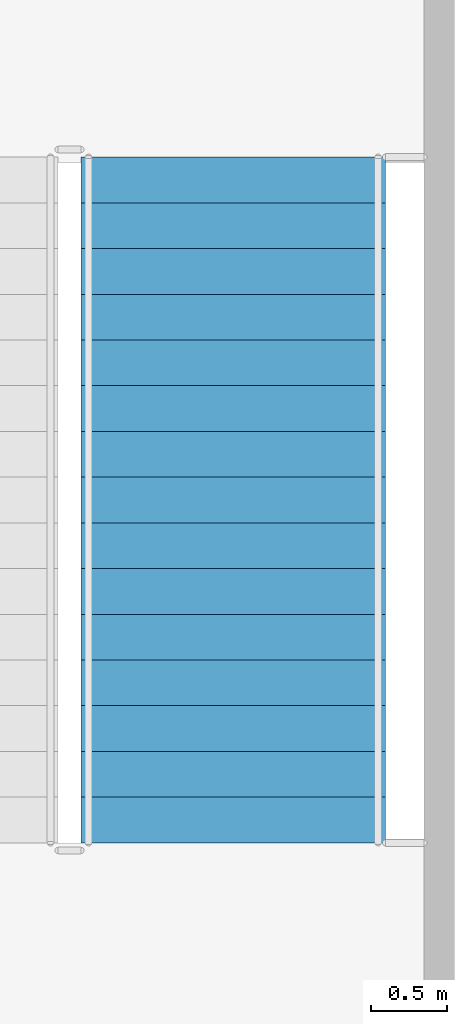
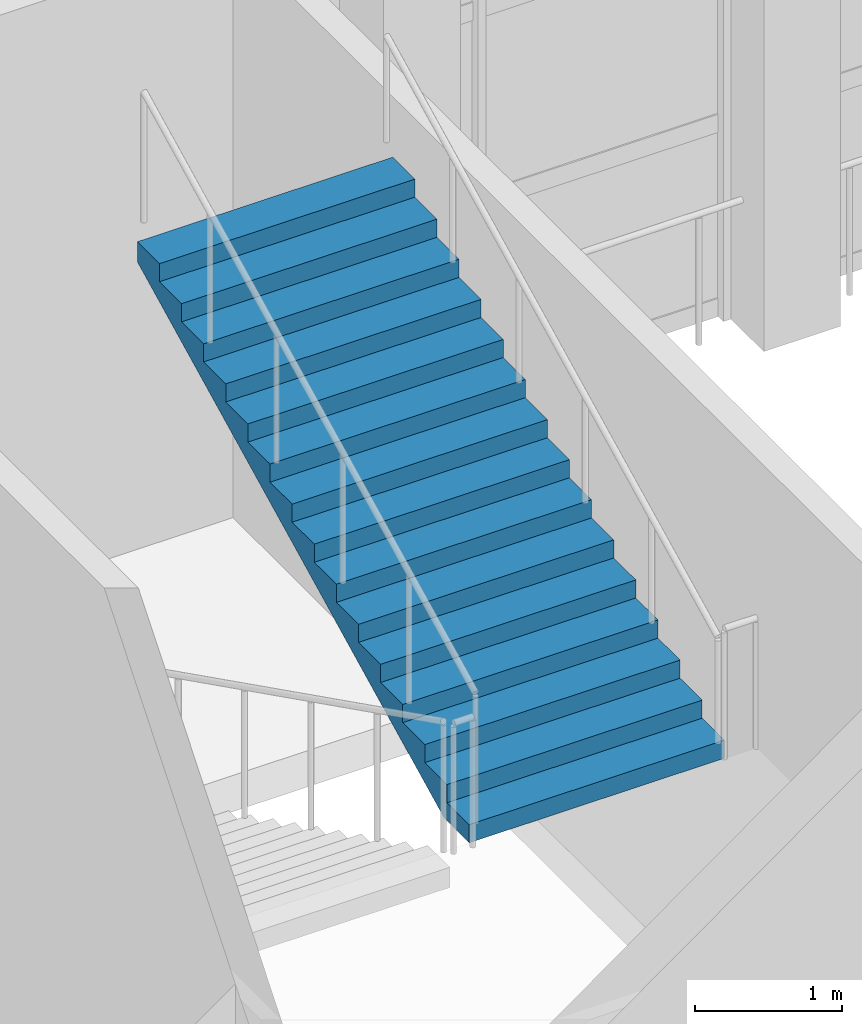
# One storey, part 52 of 91: 1 stair flight, 1 element without a shape of its own.
"""IFC4 building model written with IfcOpenShell, lengths in metres."""

from ifc_helpers import new_model, si_unit, direction, frame, origin, place, context, subcontext, project, spatial, faceted_brep, material, type_object, element, aggregate, save


model = new_model("IFC4")

# Units and contexts
model_context = context("Model", 3, precision=1e-05, world=origin(), true_north=direction((0.0, 1.0)))
body_context = subcontext(model_context, "Body", "Model", "MODEL_VIEW")
ifc_project = project(units=[si_unit("LENGTHUNIT", "METRE"), si_unit("AREAUNIT", "SQUARE_METRE"), si_unit("VOLUMEUNIT", "CUBIC_METRE"), si_unit("PLANEANGLEUNIT", "RADIAN"), si_unit("MASSUNIT", "GRAM", prefix="KILO")], contexts=[model_context])

# Site, building, storey
site_placement = place(None, origin())
site = spatial("IfcSite", under=ifc_project, at=site_placement, CompositionType="ELEMENT")
building_placement = place(site_placement, origin())
building = spatial("IfcBuilding", under=site, at=building_placement, Name="Kiln Court Media Centre", CompositionType="ELEMENT")
storey_placement = place(building_placement, frame((0.0, 0.0, 5.39990234375)))
storey = spatial("IfcBuildingStorey", under=building, at=storey_placement, Name="L01", CompositionType="ELEMENT", Elevation=5.39990234375)

# Stair, stair flight
ifc_material_1 = material(Name="Concrete C40/50", Category="concrete")
stair_type = type_object("IfcStairType", Name="Concrete C40/50 dog-leg stair 2000 wide, 150 riser", PredefinedType="HALF_TURN_STAIR", material=ifc_material_1)
stair_placement = place(storey_placement, origin())
stair = element("IfcStair", 1, at=stair_placement, inside=storey, type_object=stair_type, Name="ST-08 L01", PredefinedType="HALF_TURN_STAIR")
ifc_material_2 = material(Name="Concrete C40/50", Category="concrete")
stair_flight_type = type_object("IfcStairFlightType", Name="Concrete C40/50 stair flight 2000 wide, 150 riser, 300 going", PredefinedType="STRAIGHT", material=ifc_material_2)
stair_flight_placement = place(storey_placement, frame((32.14990234375, 59.89990234375, 2.400146484375), z_axis=(0.0, 0.0, 1.0), x_axis=(0.0, 1.0, 0.0)))
stair_flight = element("IfcStairFlight", 2, at=stair_flight_placement, type_object=stair_flight_type, Name="L01-ST-5007 flight 5015", NumberOfRisers=16, NumberOfTreads=15, PredefinedType="STRAIGHT", RiserHeight=0.15, TreadLength=0.3, context=body_context, shape_type="Brep", body=[
    faceted_brep([(0.335205078125, -1.0, 0.0), (4.5, -1.0, 2.08251953125), (4.5, -1.0, 2.25), (4.199951171875, -1.0, 2.25), (4.199951171875, -1.0, 2.10009765625), (3.89990234375, -1.0, 2.10009765625), (3.89990234375, -1.0, 1.949951171875), (3.60009765625, -1.0, 1.949951171875), (3.60009765625, -1.0, 1.800048828125), (3.300048828125, -1.0, 1.800048828125), (3.300048828125, -1.0, 1.64990234375), (3.0, -1.0, 1.64990234375), (3.0, -1.0, 1.5), (2.699951171875, -1.0, 1.5), (2.699951171875, -1.0, 1.35009765625), (2.39990234375, -1.0, 1.35009765625), (2.39990234375, -1.0, 1.199951171875), (2.10009765625, -1.0, 1.199951171875), (2.10009765625, -1.0, 1.050048828125), (1.800048828125, -1.0, 1.050048828125), (1.800048828125, -1.0, 0.89990234375), (1.5, -1.0, 0.89990234375), (1.5, -1.0, 0.75), (1.199951171875, -1.0, 0.75), (1.199951171875, -1.0, 0.60009765625), (0.89990234375, -1.0, 0.60009765625), (0.89990234375, -1.0, 0.449951171875), (0.60009765625, -1.0, 0.449951171875), (0.60009765625, -1.0, 0.300048828125), (0.300048828125, -1.0, 0.300048828125), (0.300048828125, -1.0, 0.14990234375), (0.0, -1.0, 0.14990234375), (0.0, -1.0, 0.0), (0.0, 1.0, 0.0), (0.0, 1.0, 0.14990234375), (0.300048828125, 1.0, 0.14990234375), (0.300048828125, 1.0, 0.300048828125), (0.60009765625, 1.0, 0.300048828125), (0.60009765625, 1.0, 0.449951171875), (0.89990234375, 1.0, 0.449951171875), (0.89990234375, 1.0, 0.60009765625), (1.199951171875, 1.0, 0.60009765625), (1.199951171875, 1.0, 0.75), (1.5, 1.0, 0.75), (1.5, 1.0, 0.89990234375), (1.800048828125, 1.0, 0.89990234375), (1.800048828125, 1.0, 1.050048828125), (2.10009765625, 1.0, 1.050048828125), (2.10009765625, 1.0, 1.199951171875), (2.39990234375, 1.0, 1.199951171875), (2.39990234375, 1.0, 1.35009765625), (2.699951171875, 1.0, 1.35009765625), (2.699951171875, 1.0, 1.5), (3.0, 1.0, 1.5), (3.0, 1.0, 1.64990234375), (3.300048828125, 1.0, 1.64990234375), (3.300048828125, 1.0, 1.800048828125), (3.60009765625, 1.0, 1.800048828125), (3.60009765625, 1.0, 1.949951171875), (3.89990234375, 1.0, 1.949951171875), (3.89990234375, 1.0, 2.10009765625), (4.199951171875, 1.0, 2.10009765625), (4.199951171875, 1.0, 2.25), (4.5, 1.0, 2.25), (4.5, 1.0, 2.08251953125), (0.335205078125, 1.0, 0.0), (4.5, 0.10009765625, 2.08251953125), (0.335205078125, 0.10009765625, 0.0), (4.5, 0.080078125, 2.08251953125), (0.335205078125, 0.080078125, 0.0), (4.5, 0.06005859375, 2.08251953125), (0.335205078125, 0.06005859375, 0.0), (4.5, 0.0400390625, 2.08251953125), (0.335205078125, 0.0400390625, 0.0), (4.5, 0.02001953125, 2.08251953125), (0.335205078125, 0.02001953125, 0.0), (4.5, 0.0, 2.08251953125), (0.335205078125, 0.0, 0.0), (4.5, -0.02001953125, 2.08251953125), (0.335205078125, -0.02001953125, 0.0), (4.5, -0.0400390625, 2.08251953125), (0.335205078125, -0.0400390625, 0.0), (4.5, -0.06005859375, 2.08251953125), (0.335205078125, -0.06005859375, 0.0), (4.5, -0.080078125, 2.08251953125), (0.335205078125, -0.080078125, 0.0), (4.5, -0.10009765625, 2.08251953125), (0.335205078125, -0.10009765625, 0.0), (4.5, 0.10009765625, 2.25), (4.5, 0.080078125, 2.25), (4.5, 0.06005859375, 2.25), (4.5, 0.0400390625, 2.25), (4.5, 0.02001953125, 2.25), (4.5, 0.0, 2.25), (4.5, -0.02001953125, 2.25), (4.5, -0.0400390625, 2.25), (4.5, -0.06005859375, 2.25), (4.5, -0.080078125, 2.25), (4.5, -0.10009765625, 2.25), (4.199951171875, 0.10009765625, 2.25), (4.199951171875, 0.080078125, 2.25), (4.199951171875, 0.06005859375, 2.25), (4.199951171875, 0.0400390625, 2.25), (4.199951171875, 0.02001953125, 2.25), (4.199951171875, 0.0, 2.25), (4.199951171875, -0.02001953125, 2.25), (4.199951171875, -0.0400390625, 2.25), (4.199951171875, -0.06005859375, 2.25), (4.199951171875, -0.080078125, 2.25), (4.199951171875, -0.10009765625, 2.25), (4.199951171875, 0.10009765625, 2.10009765625), (4.199951171875, 0.080078125, 2.10009765625), (4.199951171875, 0.06005859375, 2.10009765625), (4.199951171875, 0.0400390625, 2.10009765625), (4.199951171875, 0.02001953125, 2.10009765625), (4.199951171875, 0.0, 2.10009765625), (4.199951171875, -0.02001953125, 2.10009765625), (4.199951171875, -0.0400390625, 2.10009765625), (4.199951171875, -0.06005859375, 2.10009765625), (4.199951171875, -0.080078125, 2.10009765625), (4.199951171875, -0.10009765625, 2.10009765625), (3.89990234375, 0.10009765625, 2.10009765625), (3.89990234375, 0.080078125, 2.10009765625), (3.89990234375, 0.06005859375, 2.10009765625), (3.89990234375, 0.0400390625, 2.10009765625), (3.89990234375, 0.02001953125, 2.10009765625), (3.89990234375, 0.0, 2.10009765625), (3.89990234375, -0.02001953125, 2.10009765625), (3.89990234375, -0.0400390625, 2.10009765625), (3.89990234375, -0.06005859375, 2.10009765625), (3.89990234375, -0.080078125, 2.10009765625), (3.89990234375, -0.10009765625, 2.10009765625), (3.89990234375, 0.10009765625, 1.949951171875), (3.89990234375, 0.080078125, 1.949951171875), (3.89990234375, 0.06005859375, 1.949951171875), (3.89990234375, 0.0400390625, 1.949951171875), (3.89990234375, 0.02001953125, 1.949951171875), (3.89990234375, 0.0, 1.949951171875), (3.89990234375, -0.02001953125, 1.949951171875), (3.89990234375, -0.0400390625, 1.949951171875), (3.89990234375, -0.06005859375, 1.949951171875), (3.89990234375, -0.080078125, 1.949951171875), (3.89990234375, -0.10009765625, 1.949951171875), (3.60009765625, 0.10009765625, 1.949951171875), (3.60009765625, 0.080078125, 1.949951171875), (3.60009765625, 0.06005859375, 1.949951171875), (3.60009765625, 0.0400390625, 1.949951171875), (3.60009765625, 0.02001953125, 1.949951171875), (3.60009765625, 0.0, 1.949951171875), (3.60009765625, -0.02001953125, 1.949951171875), (3.60009765625, -0.0400390625, 1.949951171875), (3.60009765625, -0.06005859375, 1.949951171875), (3.60009765625, -0.080078125, 1.949951171875), (3.60009765625, -0.10009765625, 1.949951171875), (3.60009765625, 0.10009765625, 1.800048828125), (3.60009765625, 0.080078125, 1.800048828125), (3.60009765625, 0.06005859375, 1.800048828125), (3.60009765625, 0.0400390625, 1.800048828125), (3.60009765625, 0.02001953125, 1.800048828125), (3.60009765625, 0.0, 1.800048828125), (3.60009765625, -0.02001953125, 1.800048828125), (3.60009765625, -0.0400390625, 1.800048828125), (3.60009765625, -0.06005859375, 1.800048828125), (3.60009765625, -0.080078125, 1.800048828125), (3.60009765625, -0.10009765625, 1.800048828125), (3.300048828125, 0.10009765625, 1.800048828125), (3.300048828125, 0.080078125, 1.800048828125), (3.300048828125, 0.06005859375, 1.800048828125), (3.300048828125, 0.0400390625, 1.800048828125), (3.300048828125, 0.02001953125, 1.800048828125), (3.300048828125, 0.0, 1.800048828125), (3.300048828125, -0.02001953125, 1.800048828125), (3.300048828125, -0.0400390625, 1.800048828125), (3.300048828125, -0.06005859375, 1.800048828125), (3.300048828125, -0.080078125, 1.800048828125), (3.300048828125, -0.10009765625, 1.800048828125), (3.300048828125, 0.10009765625, 1.64990234375), (3.300048828125, 0.080078125, 1.64990234375), (3.300048828125, 0.06005859375, 1.64990234375), (3.300048828125, 0.0400390625, 1.64990234375), (3.300048828125, 0.02001953125, 1.64990234375), (3.300048828125, 0.0, 1.64990234375), (3.300048828125, -0.02001953125, 1.64990234375), (3.300048828125, -0.0400390625, 1.64990234375), (3.300048828125, -0.06005859375, 1.64990234375), (3.300048828125, -0.080078125, 1.64990234375), (3.300048828125, -0.10009765625, 1.64990234375), (3.0, 0.10009765625, 1.64990234375), (3.0, 0.080078125, 1.64990234375), (3.0, 0.06005859375, 1.64990234375), (3.0, 0.0400390625, 1.64990234375), (3.0, 0.02001953125, 1.64990234375), (3.0, 0.0, 1.64990234375), (3.0, -0.02001953125, 1.64990234375), (3.0, -0.0400390625, 1.64990234375), (3.0, -0.06005859375, 1.64990234375), (3.0, -0.080078125, 1.64990234375), (3.0, -0.10009765625, 1.64990234375), (3.0, 0.10009765625, 1.5), (3.0, 0.080078125, 1.5), (3.0, 0.06005859375, 1.5), (3.0, 0.0400390625, 1.5), (3.0, 0.02001953125, 1.5), (3.0, 0.0, 1.5), (3.0, -0.02001953125, 1.5), (3.0, -0.0400390625, 1.5), (3.0, -0.06005859375, 1.5), (3.0, -0.080078125, 1.5), (3.0, -0.10009765625, 1.5), (2.699951171875, 0.10009765625, 1.5), (2.699951171875, 0.080078125, 1.5), (2.699951171875, 0.06005859375, 1.5), (2.699951171875, 0.0400390625, 1.5), (2.699951171875, 0.02001953125, 1.5), (2.699951171875, 0.0, 1.5), (2.699951171875, -0.02001953125, 1.5), (2.699951171875, -0.0400390625, 1.5), (2.699951171875, -0.06005859375, 1.5), (2.699951171875, -0.080078125, 1.5), (2.699951171875, -0.10009765625, 1.5), (2.699951171875, 0.10009765625, 1.35009765625), (2.699951171875, 0.080078125, 1.35009765625), (2.699951171875, 0.06005859375, 1.35009765625), (2.699951171875, 0.0400390625, 1.35009765625), (2.699951171875, 0.02001953125, 1.35009765625), (2.699951171875, 0.0, 1.35009765625), (2.699951171875, -0.02001953125, 1.35009765625), (2.699951171875, -0.0400390625, 1.35009765625), (2.699951171875, -0.06005859375, 1.35009765625), (2.699951171875, -0.080078125, 1.35009765625), (2.699951171875, -0.10009765625, 1.35009765625), (2.39990234375, 0.10009765625, 1.35009765625), (2.39990234375, 0.080078125, 1.35009765625), (2.39990234375, 0.06005859375, 1.35009765625), (2.39990234375, 0.0400390625, 1.35009765625), (2.39990234375, 0.02001953125, 1.35009765625), (2.39990234375, 0.0, 1.35009765625), (2.39990234375, -0.02001953125, 1.35009765625), (2.39990234375, -0.0400390625, 1.35009765625), (2.39990234375, -0.06005859375, 1.35009765625), (2.39990234375, -0.080078125, 1.35009765625), (2.39990234375, -0.10009765625, 1.35009765625), (2.39990234375, 0.10009765625, 1.199951171875), (2.39990234375, 0.080078125, 1.199951171875), (2.39990234375, 0.06005859375, 1.199951171875), (2.39990234375, 0.0400390625, 1.199951171875), (2.39990234375, 0.02001953125, 1.199951171875), (2.39990234375, 0.0, 1.199951171875), (2.39990234375, -0.02001953125, 1.199951171875), (2.39990234375, -0.0400390625, 1.199951171875), (2.39990234375, -0.06005859375, 1.199951171875), (2.39990234375, -0.080078125, 1.199951171875), (2.39990234375, -0.10009765625, 1.199951171875), (2.10009765625, 0.10009765625, 1.199951171875), (2.10009765625, 0.080078125, 1.199951171875), (2.10009765625, 0.06005859375, 1.199951171875), (2.10009765625, 0.0400390625, 1.199951171875), (2.10009765625, 0.02001953125, 1.199951171875), (2.10009765625, 0.0, 1.199951171875), (2.10009765625, -0.02001953125, 1.199951171875), (2.10009765625, -0.0400390625, 1.199951171875), (2.10009765625, -0.06005859375, 1.199951171875), (2.10009765625, -0.080078125, 1.199951171875), (2.10009765625, -0.10009765625, 1.199951171875), (2.10009765625, 0.10009765625, 1.050048828125), (2.10009765625, 0.080078125, 1.050048828125), (2.10009765625, 0.06005859375, 1.050048828125), (2.10009765625, 0.0400390625, 1.050048828125), (2.10009765625, 0.02001953125, 1.050048828125), (2.10009765625, 0.0, 1.050048828125), (2.10009765625, -0.02001953125, 1.050048828125), (2.10009765625, -0.0400390625, 1.050048828125), (2.10009765625, -0.06005859375, 1.050048828125), (2.10009765625, -0.080078125, 1.050048828125), (2.10009765625, -0.10009765625, 1.050048828125), (1.800048828125, 0.10009765625, 1.050048828125), (1.800048828125, 0.080078125, 1.050048828125), (1.800048828125, 0.06005859375, 1.050048828125), (1.800048828125, 0.0400390625, 1.050048828125), (1.800048828125, 0.02001953125, 1.050048828125), (1.800048828125, 0.0, 1.050048828125), (1.800048828125, -0.02001953125, 1.050048828125), (1.800048828125, -0.0400390625, 1.050048828125), (1.800048828125, -0.06005859375, 1.050048828125), (1.800048828125, -0.080078125, 1.050048828125), (1.800048828125, -0.10009765625, 1.050048828125), (1.800048828125, 0.10009765625, 0.89990234375), (1.800048828125, 0.080078125, 0.89990234375), (1.800048828125, 0.06005859375, 0.89990234375), (1.800048828125, 0.0400390625, 0.89990234375), (1.800048828125, 0.02001953125, 0.89990234375), (1.800048828125, 0.0, 0.89990234375), (1.800048828125, -0.02001953125, 0.89990234375), (1.800048828125, -0.0400390625, 0.89990234375), (1.800048828125, -0.06005859375, 0.89990234375), (1.800048828125, -0.080078125, 0.89990234375), (1.800048828125, -0.10009765625, 0.89990234375), (1.5, 0.10009765625, 0.89990234375), (1.5, 0.080078125, 0.89990234375), (1.5, 0.06005859375, 0.89990234375), (1.5, 0.0400390625, 0.89990234375), (1.5, 0.02001953125, 0.89990234375), (1.5, 0.0, 0.89990234375), (1.5, -0.02001953125, 0.89990234375), (1.5, -0.0400390625, 0.89990234375), (1.5, -0.06005859375, 0.89990234375), (1.5, -0.080078125, 0.89990234375), (1.5, -0.10009765625, 0.89990234375), (1.5, 0.10009765625, 0.75), (1.5, 0.080078125, 0.75), (1.5, 0.06005859375, 0.75), (1.5, 0.0400390625, 0.75), (1.5, 0.02001953125, 0.75), (1.5, 0.0, 0.75), (1.5, -0.02001953125, 0.75), (1.5, -0.0400390625, 0.75), (1.5, -0.06005859375, 0.75), (1.5, -0.080078125, 0.75), (1.5, -0.10009765625, 0.75), (1.199951171875, 0.10009765625, 0.75), (1.199951171875, 0.080078125, 0.75), (1.199951171875, 0.06005859375, 0.75), (1.199951171875, 0.0400390625, 0.75), (1.199951171875, 0.02001953125, 0.75), (1.199951171875, 0.0, 0.75), (1.199951171875, -0.02001953125, 0.75), (1.199951171875, -0.0400390625, 0.75), (1.199951171875, -0.06005859375, 0.75), (1.199951171875, -0.080078125, 0.75), (1.199951171875, -0.10009765625, 0.75), (1.199951171875, 0.10009765625, 0.60009765625), (1.199951171875, 0.080078125, 0.60009765625), (1.199951171875, 0.06005859375, 0.60009765625), (1.199951171875, 0.0400390625, 0.60009765625), (1.199951171875, 0.02001953125, 0.60009765625), (1.199951171875, 0.0, 0.60009765625), (1.199951171875, -0.02001953125, 0.60009765625), (1.199951171875, -0.0400390625, 0.60009765625), (1.199951171875, -0.06005859375, 0.60009765625), (1.199951171875, -0.080078125, 0.60009765625), (1.199951171875, -0.10009765625, 0.60009765625), (0.89990234375, 0.10009765625, 0.60009765625), (0.89990234375, 0.080078125, 0.60009765625), (0.89990234375, 0.06005859375, 0.60009765625), (0.89990234375, 0.0400390625, 0.60009765625), (0.89990234375, 0.02001953125, 0.60009765625), (0.89990234375, 0.0, 0.60009765625), (0.89990234375, -0.02001953125, 0.60009765625), (0.89990234375, -0.0400390625, 0.60009765625), (0.89990234375, -0.06005859375, 0.60009765625), (0.89990234375, -0.080078125, 0.60009765625), (0.89990234375, -0.10009765625, 0.60009765625), (0.89990234375, 0.10009765625, 0.449951171875), (0.89990234375, 0.080078125, 0.449951171875), (0.89990234375, 0.06005859375, 0.449951171875), (0.89990234375, 0.0400390625, 0.449951171875), (0.89990234375, 0.02001953125, 0.449951171875), (0.89990234375, 0.0, 0.449951171875), (0.89990234375, -0.02001953125, 0.449951171875), (0.89990234375, -0.0400390625, 0.449951171875), (0.89990234375, -0.06005859375, 0.449951171875), (0.89990234375, -0.080078125, 0.449951171875), (0.89990234375, -0.10009765625, 0.449951171875), (0.60009765625, 0.10009765625, 0.449951171875), (0.60009765625, 0.080078125, 0.449951171875), (0.60009765625, 0.06005859375, 0.449951171875), (0.60009765625, 0.0400390625, 0.449951171875), (0.60009765625, 0.02001953125, 0.449951171875), (0.60009765625, 0.0, 0.449951171875), (0.60009765625, -0.02001953125, 0.449951171875), (0.60009765625, -0.0400390625, 0.449951171875), (0.60009765625, -0.06005859375, 0.449951171875), (0.60009765625, -0.080078125, 0.449951171875), (0.60009765625, -0.10009765625, 0.449951171875), (0.60009765625, 0.10009765625, 0.300048828125), (0.60009765625, 0.080078125, 0.300048828125), (0.60009765625, 0.06005859375, 0.300048828125), (0.60009765625, 0.0400390625, 0.300048828125), (0.60009765625, 0.02001953125, 0.300048828125), (0.60009765625, 0.0, 0.300048828125), (0.60009765625, -0.02001953125, 0.300048828125), (0.60009765625, -0.0400390625, 0.300048828125), (0.60009765625, -0.06005859375, 0.300048828125), (0.60009765625, -0.080078125, 0.300048828125), (0.60009765625, -0.10009765625, 0.300048828125), (0.300048828125, 0.10009765625, 0.300048828125), (0.300048828125, 0.080078125, 0.300048828125), (0.300048828125, 0.06005859375, 0.300048828125), (0.300048828125, 0.0400390625, 0.300048828125), (0.300048828125, 0.02001953125, 0.300048828125), (0.300048828125, 0.0, 0.300048828125), (0.300048828125, -0.02001953125, 0.300048828125), (0.300048828125, -0.0400390625, 0.300048828125), (0.300048828125, -0.06005859375, 0.300048828125), (0.300048828125, -0.080078125, 0.300048828125), (0.300048828125, -0.10009765625, 0.300048828125), (0.300048828125, 0.10009765625, 0.14990234375), (0.300048828125, 0.080078125, 0.14990234375), (0.300048828125, 0.06005859375, 0.14990234375), (0.300048828125, 0.0400390625, 0.14990234375), (0.300048828125, 0.02001953125, 0.14990234375), (0.300048828125, 0.0, 0.14990234375), (0.300048828125, -0.02001953125, 0.14990234375), (0.300048828125, -0.0400390625, 0.14990234375), (0.300048828125, -0.06005859375, 0.14990234375), (0.300048828125, -0.080078125, 0.14990234375), (0.300048828125, -0.10009765625, 0.14990234375), (0.0, 0.10009765625, 0.14990234375), (0.0, 0.080078125, 0.14990234375), (0.0, 0.06005859375, 0.14990234375), (0.0, 0.0400390625, 0.14990234375), (0.0, 0.02001953125, 0.14990234375), (0.0, 0.0, 0.14990234375), (0.0, -0.02001953125, 0.14990234375), (0.0, -0.0400390625, 0.14990234375), (0.0, -0.06005859375, 0.14990234375), (0.0, -0.080078125, 0.14990234375), (0.0, -0.10009765625, 0.14990234375), (0.0, 0.10009765625, 0.0), (0.0, 0.080078125, 0.0), (0.0, 0.06005859375, 0.0), (0.0, 0.0400390625, 0.0), (0.0, 0.02001953125, 0.0), (0.0, 0.0, 0.0), (0.0, -0.02001953125, 0.0), (0.0, -0.0400390625, 0.0), (0.0, -0.06005859375, 0.0), (0.0, -0.080078125, 0.0), (0.0, -0.10009765625, 0.0)], [[[0, 1, 2, 3, 4, 5, 6, 7, 8, 9, 10, 11, 12, 13, 14, 15, 16, 17, 18, 19, 20, 21, 22, 23, 24, 25, 26, 27, 28, 29, 30, 31, 32]], [[33, 34, 35, 36, 37, 38, 39, 40, 41, 42, 43, 44, 45, 46, 47, 48, 49, 50, 51, 52, 53, 54, 55, 56, 57, 58, 59, 60, 61, 62, 63, 64, 65]], [[65, 64, 66, 67]], [[67, 66, 68, 69]], [[69, 68, 70, 71]], [[71, 70, 72, 73]], [[73, 72, 74, 75]], [[75, 74, 76, 77]], [[77, 76, 78, 79]], [[79, 78, 80, 81]], [[81, 80, 82, 83]], [[83, 82, 84, 85]], [[85, 84, 86, 87]], [[87, 86, 1, 0]], [[64, 63, 88, 66]], [[66, 88, 89, 68]], [[68, 89, 90, 70]], [[70, 90, 91, 72]], [[72, 91, 92, 74]], [[74, 92, 93, 76]], [[76, 93, 94, 78]], [[78, 94, 95, 80]], [[80, 95, 96, 82]], [[82, 96, 97, 84]], [[84, 97, 98, 86]], [[86, 98, 2, 1]], [[63, 62, 99, 88]], [[88, 99, 100, 89]], [[89, 100, 101, 90]], [[90, 101, 102, 91]], [[91, 102, 103, 92]], [[92, 103, 104, 93]], [[93, 104, 105, 94]], [[94, 105, 106, 95]], [[95, 106, 107, 96]], [[96, 107, 108, 97]], [[97, 108, 109, 98]], [[98, 109, 3, 2]], [[62, 61, 110, 99]], [[99, 110, 111, 100]], [[100, 111, 112, 101]], [[101, 112, 113, 102]], [[102, 113, 114, 103]], [[103, 114, 115, 104]], [[104, 115, 116, 105]], [[105, 116, 117, 106]], [[106, 117, 118, 107]], [[107, 118, 119, 108]], [[108, 119, 120, 109]], [[109, 120, 4, 3]], [[61, 60, 121, 110]], [[110, 121, 122, 111]], [[111, 122, 123, 112]], [[112, 123, 124, 113]], [[113, 124, 125, 114]], [[114, 125, 126, 115]], [[115, 126, 127, 116]], [[116, 127, 128, 117]], [[117, 128, 129, 118]], [[118, 129, 130, 119]], [[119, 130, 131, 120]], [[120, 131, 5, 4]], [[60, 59, 132, 121]], [[121, 132, 133, 122]], [[122, 133, 134, 123]], [[123, 134, 135, 124]], [[124, 135, 136, 125]], [[125, 136, 137, 126]], [[126, 137, 138, 127]], [[127, 138, 139, 128]], [[128, 139, 140, 129]], [[129, 140, 141, 130]], [[130, 141, 142, 131]], [[131, 142, 6, 5]], [[59, 58, 143, 132]], [[132, 143, 144, 133]], [[133, 144, 145, 134]], [[134, 145, 146, 135]], [[135, 146, 147, 136]], [[136, 147, 148, 137]], [[137, 148, 149, 138]], [[138, 149, 150, 139]], [[139, 150, 151, 140]], [[140, 151, 152, 141]], [[141, 152, 153, 142]], [[142, 153, 7, 6]], [[58, 57, 154, 143]], [[143, 154, 155, 144]], [[144, 155, 156, 145]], [[145, 156, 157, 146]], [[146, 157, 158, 147]], [[147, 158, 159, 148]], [[148, 159, 160, 149]], [[149, 160, 161, 150]], [[150, 161, 162, 151]], [[151, 162, 163, 152]], [[152, 163, 164, 153]], [[153, 164, 8, 7]], [[57, 56, 165, 154]], [[154, 165, 166, 155]], [[155, 166, 167, 156]], [[156, 167, 168, 157]], [[157, 168, 169, 158]], [[158, 169, 170, 159]], [[159, 170, 171, 160]], [[160, 171, 172, 161]], [[161, 172, 173, 162]], [[162, 173, 174, 163]], [[163, 174, 175, 164]], [[164, 175, 9, 8]], [[56, 55, 176, 165]], [[165, 176, 177, 166]], [[166, 177, 178, 167]], [[167, 178, 179, 168]], [[168, 179, 180, 169]], [[169, 180, 181, 170]], [[170, 181, 182, 171]], [[171, 182, 183, 172]], [[172, 183, 184, 173]], [[173, 184, 185, 174]], [[174, 185, 186, 175]], [[175, 186, 10, 9]], [[55, 54, 187, 176]], [[176, 187, 188, 177]], [[177, 188, 189, 178]], [[178, 189, 190, 179]], [[179, 190, 191, 180]], [[180, 191, 192, 181]], [[181, 192, 193, 182]], [[182, 193, 194, 183]], [[183, 194, 195, 184]], [[184, 195, 196, 185]], [[185, 196, 197, 186]], [[186, 197, 11, 10]], [[54, 53, 198, 187]], [[187, 198, 199, 188]], [[188, 199, 200, 189]], [[189, 200, 201, 190]], [[190, 201, 202, 191]], [[191, 202, 203, 192]], [[192, 203, 204, 193]], [[193, 204, 205, 194]], [[194, 205, 206, 195]], [[195, 206, 207, 196]], [[196, 207, 208, 197]], [[197, 208, 12, 11]], [[53, 52, 209, 198]], [[198, 209, 210, 199]], [[199, 210, 211, 200]], [[200, 211, 212, 201]], [[201, 212, 213, 202]], [[202, 213, 214, 203]], [[203, 214, 215, 204]], [[204, 215, 216, 205]], [[205, 216, 217, 206]], [[206, 217, 218, 207]], [[207, 218, 219, 208]], [[208, 219, 13, 12]], [[52, 51, 220, 209]], [[209, 220, 221, 210]], [[210, 221, 222, 211]], [[211, 222, 223, 212]], [[212, 223, 224, 213]], [[213, 224, 225, 214]], [[214, 225, 226, 215]], [[215, 226, 227, 216]], [[216, 227, 228, 217]], [[217, 228, 229, 218]], [[218, 229, 230, 219]], [[219, 230, 14, 13]], [[51, 50, 231, 220]], [[220, 231, 232, 221]], [[221, 232, 233, 222]], [[222, 233, 234, 223]], [[223, 234, 235, 224]], [[224, 235, 236, 225]], [[225, 236, 237, 226]], [[226, 237, 238, 227]], [[227, 238, 239, 228]], [[228, 239, 240, 229]], [[229, 240, 241, 230]], [[230, 241, 15, 14]], [[50, 49, 242, 231]], [[231, 242, 243, 232]], [[232, 243, 244, 233]], [[233, 244, 245, 234]], [[234, 245, 246, 235]], [[235, 246, 247, 236]], [[236, 247, 248, 237]], [[237, 248, 249, 238]], [[238, 249, 250, 239]], [[239, 250, 251, 240]], [[240, 251, 252, 241]], [[241, 252, 16, 15]], [[49, 48, 253, 242]], [[242, 253, 254, 243]], [[243, 254, 255, 244]], [[244, 255, 256, 245]], [[245, 256, 257, 246]], [[246, 257, 258, 247]], [[247, 258, 259, 248]], [[248, 259, 260, 249]], [[249, 260, 261, 250]], [[250, 261, 262, 251]], [[251, 262, 263, 252]], [[252, 263, 17, 16]], [[48, 47, 264, 253]], [[253, 264, 265, 254]], [[254, 265, 266, 255]], [[255, 266, 267, 256]], [[256, 267, 268, 257]], [[257, 268, 269, 258]], [[258, 269, 270, 259]], [[259, 270, 271, 260]], [[260, 271, 272, 261]], [[261, 272, 273, 262]], [[262, 273, 274, 263]], [[263, 274, 18, 17]], [[47, 46, 275, 264]], [[264, 275, 276, 265]], [[265, 276, 277, 266]], [[266, 277, 278, 267]], [[267, 278, 279, 268]], [[268, 279, 280, 269]], [[269, 280, 281, 270]], [[270, 281, 282, 271]], [[271, 282, 283, 272]], [[272, 283, 284, 273]], [[273, 284, 285, 274]], [[274, 285, 19, 18]], [[46, 45, 286, 275]], [[275, 286, 287, 276]], [[276, 287, 288, 277]], [[277, 288, 289, 278]], [[278, 289, 290, 279]], [[279, 290, 291, 280]], [[280, 291, 292, 281]], [[281, 292, 293, 282]], [[282, 293, 294, 283]], [[283, 294, 295, 284]], [[284, 295, 296, 285]], [[285, 296, 20, 19]], [[45, 44, 297, 286]], [[286, 297, 298, 287]], [[287, 298, 299, 288]], [[288, 299, 300, 289]], [[289, 300, 301, 290]], [[290, 301, 302, 291]], [[291, 302, 303, 292]], [[292, 303, 304, 293]], [[293, 304, 305, 294]], [[294, 305, 306, 295]], [[295, 306, 307, 296]], [[296, 307, 21, 20]], [[44, 43, 308, 297]], [[297, 308, 309, 298]], [[298, 309, 310, 299]], [[299, 310, 311, 300]], [[300, 311, 312, 301]], [[301, 312, 313, 302]], [[302, 313, 314, 303]], [[303, 314, 315, 304]], [[304, 315, 316, 305]], [[305, 316, 317, 306]], [[306, 317, 318, 307]], [[307, 318, 22, 21]], [[43, 42, 319, 308]], [[308, 319, 320, 309]], [[309, 320, 321, 310]], [[310, 321, 322, 311]], [[311, 322, 323, 312]], [[312, 323, 324, 313]], [[313, 324, 325, 314]], [[314, 325, 326, 315]], [[315, 326, 327, 316]], [[316, 327, 328, 317]], [[317, 328, 329, 318]], [[318, 329, 23, 22]], [[42, 41, 330, 319]], [[319, 330, 331, 320]], [[320, 331, 332, 321]], [[321, 332, 333, 322]], [[322, 333, 334, 323]], [[323, 334, 335, 324]], [[324, 335, 336, 325]], [[325, 336, 337, 326]], [[326, 337, 338, 327]], [[327, 338, 339, 328]], [[328, 339, 340, 329]], [[329, 340, 24, 23]], [[41, 40, 341, 330]], [[330, 341, 342, 331]], [[331, 342, 343, 332]], [[332, 343, 344, 333]], [[333, 344, 345, 334]], [[334, 345, 346, 335]], [[335, 346, 347, 336]], [[336, 347, 348, 337]], [[337, 348, 349, 338]], [[338, 349, 350, 339]], [[339, 350, 351, 340]], [[340, 351, 25, 24]], [[40, 39, 352, 341]], [[341, 352, 353, 342]], [[342, 353, 354, 343]], [[343, 354, 355, 344]], [[344, 355, 356, 345]], [[345, 356, 357, 346]], [[346, 357, 358, 347]], [[347, 358, 359, 348]], [[348, 359, 360, 349]], [[349, 360, 361, 350]], [[350, 361, 362, 351]], [[351, 362, 26, 25]], [[39, 38, 363, 352]], [[352, 363, 364, 353]], [[353, 364, 365, 354]], [[354, 365, 366, 355]], [[355, 366, 367, 356]], [[356, 367, 368, 357]], [[357, 368, 369, 358]], [[358, 369, 370, 359]], [[359, 370, 371, 360]], [[360, 371, 372, 361]], [[361, 372, 373, 362]], [[362, 373, 27, 26]], [[38, 37, 374, 363]], [[363, 374, 375, 364]], [[364, 375, 376, 365]], [[365, 376, 377, 366]], [[366, 377, 378, 367]], [[367, 378, 379, 368]], [[368, 379, 380, 369]], [[369, 380, 381, 370]], [[370, 381, 382, 371]], [[371, 382, 383, 372]], [[372, 383, 384, 373]], [[373, 384, 28, 27]], [[37, 36, 385, 374]], [[374, 385, 386, 375]], [[375, 386, 387, 376]], [[376, 387, 388, 377]], [[377, 388, 389, 378]], [[378, 389, 390, 379]], [[379, 390, 391, 380]], [[380, 391, 392, 381]], [[381, 392, 393, 382]], [[382, 393, 394, 383]], [[383, 394, 395, 384]], [[384, 395, 29, 28]], [[36, 35, 396, 385]], [[385, 396, 397, 386]], [[386, 397, 398, 387]], [[387, 398, 399, 388]], [[388, 399, 400, 389]], [[389, 400, 401, 390]], [[390, 401, 402, 391]], [[391, 402, 403, 392]], [[392, 403, 404, 393]], [[393, 404, 405, 394]], [[394, 405, 406, 395]], [[395, 406, 30, 29]], [[35, 34, 407, 396]], [[396, 407, 408, 397]], [[397, 408, 409, 398]], [[398, 409, 410, 399]], [[399, 410, 411, 400]], [[400, 411, 412, 401]], [[401, 412, 413, 402]], [[402, 413, 414, 403]], [[403, 414, 415, 404]], [[404, 415, 416, 405]], [[405, 416, 417, 406]], [[406, 417, 31, 30]], [[34, 33, 418, 407]], [[407, 418, 419, 408]], [[408, 419, 420, 409]], [[409, 420, 421, 410]], [[410, 421, 422, 411]], [[411, 422, 423, 412]], [[412, 423, 424, 413]], [[413, 424, 425, 414]], [[414, 425, 426, 415]], [[415, 426, 427, 416]], [[416, 427, 428, 417]], [[417, 428, 32, 31]], [[33, 65, 67, 418]], [[418, 67, 69, 419]], [[419, 69, 71, 420]], [[420, 71, 73, 421]], [[421, 73, 75, 422]], [[422, 75, 77, 423]], [[423, 77, 79, 424]], [[424, 79, 81, 425]], [[425, 81, 83, 426]], [[426, 83, 85, 427]], [[427, 85, 87, 428]], [[428, 87, 0, 32]]]),
])
aggregate(stair, [stair_flight])

save(model, "model.ifc")
